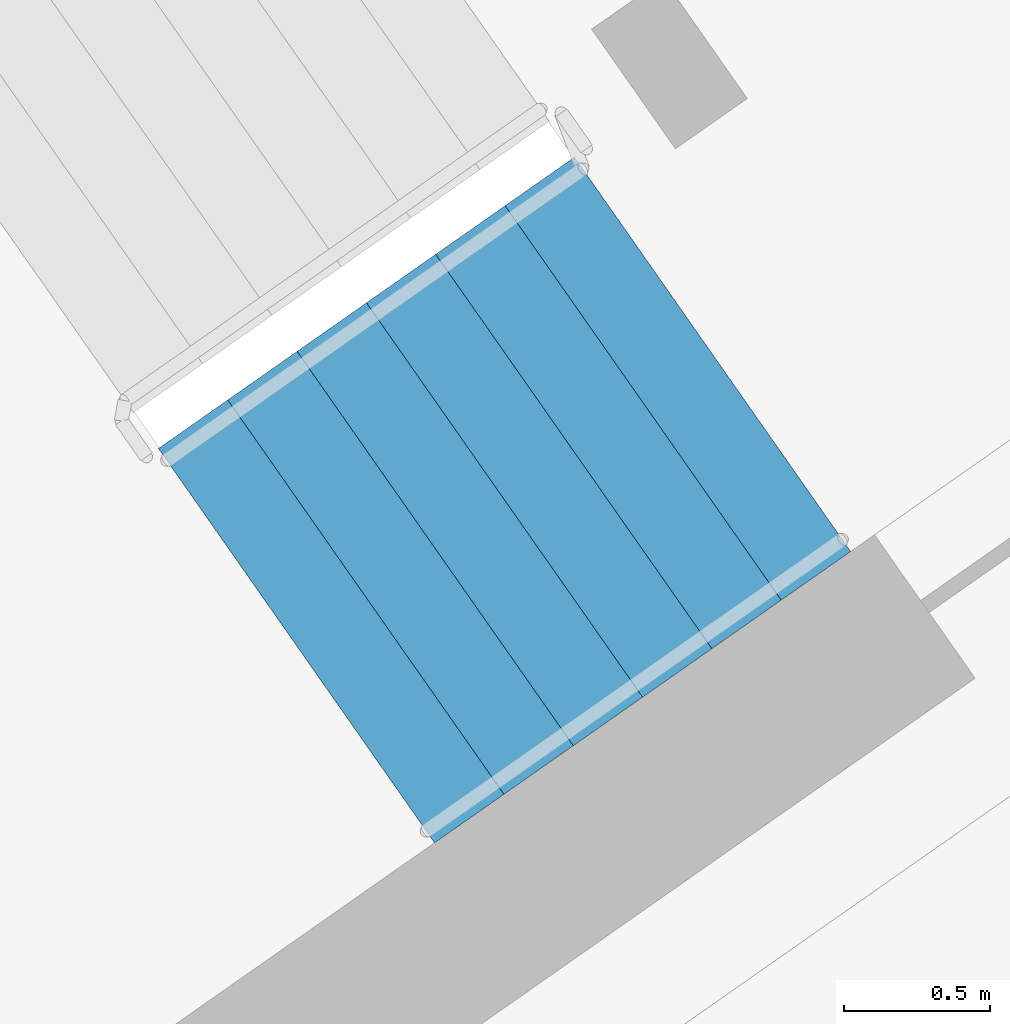
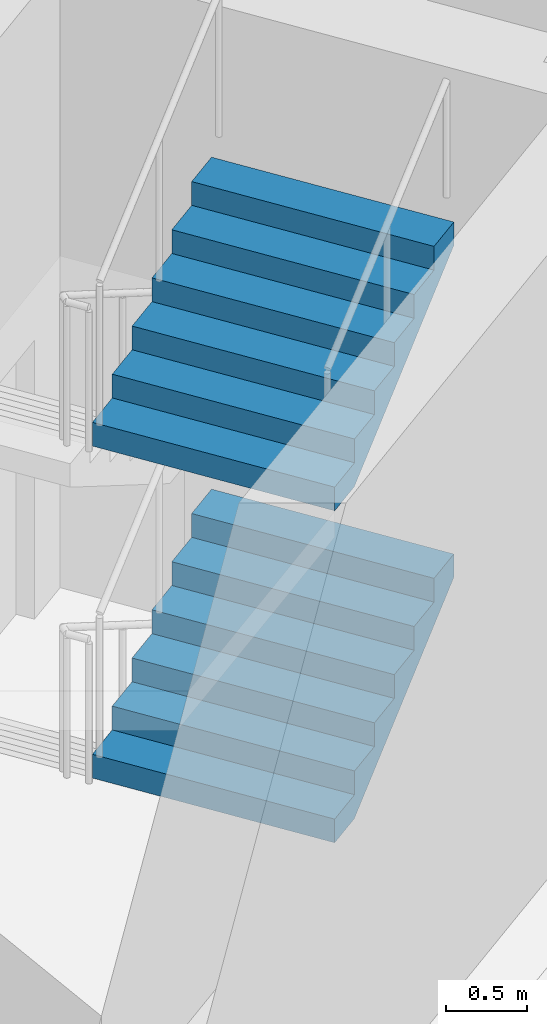
# One storey, part 17 of 24: 2 stair flights, 1 element without a shape of its own.
"""IFC4 building model written with IfcOpenShell, lengths in metres."""

from ifc_helpers import new_model, si_unit, direction, frame, origin, place, context, subcontext, project, spatial, faceted_brep, material, type_object, element, aggregate, save


model = new_model("IFC4")

# Units and contexts
model_context = context("Model", 3, precision=1e-05, world=origin(), true_north=direction((0.0, 1.0)))
body_context = subcontext(model_context, "Body", "Model", "MODEL_VIEW")
ifc_project = project(units=[si_unit("LENGTHUNIT", "METRE"), si_unit("AREAUNIT", "SQUARE_METRE"), si_unit("VOLUMEUNIT", "CUBIC_METRE"), si_unit("PLANEANGLEUNIT", "RADIAN"), si_unit("MASSUNIT", "GRAM", prefix="KILO")], contexts=[model_context])

# Site, building, storey
site_placement = place(None, origin())
site = spatial("IfcSite", under=ifc_project, at=site_placement, CompositionType="ELEMENT")
building_placement = place(site_placement, origin())
building = spatial("IfcBuilding", under=site, at=building_placement, Name="Qamariyya Broadcast Tower", CompositionType="ELEMENT")
storey_placement = place(building_placement, frame((0.0, 0.0, 198.699951171875)))
storey = spatial("IfcBuildingStorey", under=building, at=storey_placement, Name="L47", CompositionType="ELEMENT", Elevation=198.699951171875)

# Stair, stair flights
ifc_material = material(Name="Concrete C50/60", Category="concrete")
stair_type = type_object("IfcStairType", Name="Exit stair 28 risers of 179 mm", PredefinedType="HALF_TURN_STAIR", material=ifc_material)
stair_placement = place(storey_placement, origin())
stair = element("IfcStair", 1, at=stair_placement, inside=storey, type_object=stair_type, Name="L47 Stair E1", PredefinedType="HALF_TURN_STAIR")
stair_flight_type = type_object("IfcStairFlightType", Name="Exit stair flight 7 risers of 179 mm", PredefinedType="STRAIGHT", material=ifc_material)
stair_flight_1_placement = place(storey_placement, frame((45.6435546875, -57.980712890625, 1.25), z_axis=(0.0, 0.0, 1.0), x_axis=(0.819152044289, 0.573576436351, 0.0)))
stair_flight_1 = element("IfcStairFlight", 2, at=stair_flight_1_placement, type_object=stair_flight_type, Name="ST-E1 flight 2", NumberOfRisers=7, NumberOfTreads=6, PredefinedType="STRAIGHT", RiserHeight=0.178571429, TreadLength=0.29, context=body_context, shape_type="Brep", body=[
    faceted_brep([(0.0, 0.824951171875, 0.0), (0.0, 0.824951171875, 0.178466796875), (0.2900390625, 0.824951171875, 0.178466796875), (0.2900390625, 0.824951171875, 0.357177734375), (0.580078125, 0.824951171875, 0.357177734375), (0.580078125, 0.824951171875, 0.53564453125), (0.8701171875, 0.824951171875, 0.53564453125), (0.8701171875, 0.824951171875, 0.71435546875), (1.159912109375, 0.824951171875, 0.71435546875), (1.159912109375, 0.824951171875, 0.892822265625), (1.449951171875, 0.824951171875, 0.892822265625), (1.449951171875, 0.824951171875, 1.071533203125), (1.739990234375, 0.824951171875, 1.071533203125), (1.739990234375, 0.824951171875, 0.8955078125), (0.285888671875, 0.824951171875, 0.0), (0.285888671875, -0.824951171875, 0.0), (1.739990234375, -0.824951171875, 0.8955078125), (1.739990234375, -0.824951171875, 1.071533203125), (1.449951171875, -0.824951171875, 1.071533203125), (1.449951171875, -0.824951171875, 0.892822265625), (1.159912109375, -0.824951171875, 0.892822265625), (1.159912109375, -0.824951171875, 0.71435546875), (0.8701171875, -0.824951171875, 0.71435546875), (0.8701171875, -0.824951171875, 0.53564453125), (0.580078125, -0.824951171875, 0.53564453125), (0.580078125, -0.824951171875, 0.357177734375), (0.2900390625, -0.824951171875, 0.357177734375), (0.2900390625, -0.824951171875, 0.178466796875), (0.0, -0.824951171875, 0.178466796875), (0.0, -0.824951171875, 0.0), (0.0, 0.10009765625, 0.0), (0.0, 0.086669921875, 0.0), (0.0, 0.0732421875, 0.0), (0.0, 0.06005859375, 0.0), (0.0, 0.046630859375, 0.0), (0.0, 0.033447265625, 0.0), (0.0, 0.02001953125, 0.0), (0.0, 0.006591796875, 0.0), (0.0, -0.006591796875, 0.0), (0.0, -0.02001953125, 0.0), (0.0, -0.033447265625, 0.0), (0.0, -0.046630859375, 0.0), (0.0, -0.06005859375, 0.0), (0.0, -0.0732421875, 0.0), (0.0, -0.086669921875, 0.0), (0.0, -0.10009765625, 0.0), (0.0, -0.10009765625, 0.178466796875), (0.0, -0.086669921875, 0.178466796875), (0.0, -0.0732421875, 0.178466796875), (0.0, -0.06005859375, 0.178466796875), (0.0, -0.046630859375, 0.178466796875), (0.0, -0.033447265625, 0.178466796875), (0.0, -0.02001953125, 0.178466796875), (0.0, -0.006591796875, 0.178466796875), (0.0, 0.006591796875, 0.178466796875), (0.0, 0.02001953125, 0.178466796875), (0.0, 0.033447265625, 0.178466796875), (0.0, 0.046630859375, 0.178466796875), (0.0, 0.06005859375, 0.178466796875), (0.0, 0.0732421875, 0.178466796875), (0.0, 0.086669921875, 0.178466796875), (0.0, 0.10009765625, 0.178466796875), (0.2900390625, -0.10009765625, 0.178466796875), (0.2900390625, -0.086669921875, 0.178466796875), (0.2900390625, -0.0732421875, 0.178466796875), (0.2900390625, -0.06005859375, 0.178466796875), (0.2900390625, -0.046630859375, 0.178466796875), (0.2900390625, -0.033447265625, 0.178466796875), (0.2900390625, -0.02001953125, 0.178466796875), (0.2900390625, -0.006591796875, 0.178466796875), (0.2900390625, 0.006591796875, 0.178466796875), (0.2900390625, 0.02001953125, 0.178466796875), (0.2900390625, 0.033447265625, 0.178466796875), (0.2900390625, 0.046630859375, 0.178466796875), (0.2900390625, 0.06005859375, 0.178466796875), (0.2900390625, 0.0732421875, 0.178466796875), (0.2900390625, 0.086669921875, 0.178466796875), (0.2900390625, 0.10009765625, 0.178466796875), (0.2900390625, -0.10009765625, 0.357177734375), (0.2900390625, -0.086669921875, 0.357177734375), (0.2900390625, -0.0732421875, 0.357177734375), (0.2900390625, -0.06005859375, 0.357177734375), (0.2900390625, -0.046630859375, 0.357177734375), (0.2900390625, -0.033447265625, 0.357177734375), (0.2900390625, -0.02001953125, 0.357177734375), (0.2900390625, -0.006591796875, 0.357177734375), (0.2900390625, 0.006591796875, 0.357177734375), (0.2900390625, 0.02001953125, 0.357177734375), (0.2900390625, 0.033447265625, 0.357177734375), (0.2900390625, 0.046630859375, 0.357177734375), (0.2900390625, 0.06005859375, 0.357177734375), (0.2900390625, 0.0732421875, 0.357177734375), (0.2900390625, 0.086669921875, 0.357177734375), (0.2900390625, 0.10009765625, 0.357177734375), (0.580078125, -0.10009765625, 0.357177734375), (0.580078125, -0.086669921875, 0.357177734375), (0.580078125, -0.0732421875, 0.357177734375), (0.580078125, -0.06005859375, 0.357177734375), (0.580078125, -0.046630859375, 0.357177734375), (0.580078125, -0.033447265625, 0.357177734375), (0.580078125, -0.02001953125, 0.357177734375), (0.580078125, -0.006591796875, 0.357177734375), (0.580078125, 0.006591796875, 0.357177734375), (0.580078125, 0.02001953125, 0.357177734375), (0.580078125, 0.033447265625, 0.357177734375), (0.580078125, 0.046630859375, 0.357177734375), (0.580078125, 0.06005859375, 0.357177734375), (0.580078125, 0.0732421875, 0.357177734375), (0.580078125, 0.086669921875, 0.357177734375), (0.580078125, 0.10009765625, 0.357177734375), (0.580078125, -0.10009765625, 0.53564453125), (0.580078125, -0.086669921875, 0.53564453125), (0.580078125, -0.0732421875, 0.53564453125), (0.580078125, -0.06005859375, 0.53564453125), (0.580078125, -0.046630859375, 0.53564453125), (0.580078125, -0.033447265625, 0.53564453125), (0.580078125, -0.02001953125, 0.53564453125), (0.580078125, -0.006591796875, 0.53564453125), (0.580078125, 0.006591796875, 0.53564453125), (0.580078125, 0.02001953125, 0.53564453125), (0.580078125, 0.033447265625, 0.53564453125), (0.580078125, 0.046630859375, 0.53564453125), (0.580078125, 0.06005859375, 0.53564453125), (0.580078125, 0.0732421875, 0.53564453125), (0.580078125, 0.086669921875, 0.53564453125), (0.580078125, 0.10009765625, 0.53564453125), (0.8701171875, -0.10009765625, 0.53564453125), (0.8701171875, -0.086669921875, 0.53564453125), (0.8701171875, -0.0732421875, 0.53564453125), (0.8701171875, -0.06005859375, 0.53564453125), (0.8701171875, -0.046630859375, 0.53564453125), (0.8701171875, -0.033447265625, 0.53564453125), (0.8701171875, -0.02001953125, 0.53564453125), (0.8701171875, -0.006591796875, 0.53564453125), (0.8701171875, 0.006591796875, 0.53564453125), (0.8701171875, 0.02001953125, 0.53564453125), (0.8701171875, 0.033447265625, 0.53564453125), (0.8701171875, 0.046630859375, 0.53564453125), (0.8701171875, 0.06005859375, 0.53564453125), (0.8701171875, 0.0732421875, 0.53564453125), (0.8701171875, 0.086669921875, 0.53564453125), (0.8701171875, 0.10009765625, 0.53564453125), (0.8701171875, -0.10009765625, 0.71435546875), (0.8701171875, -0.086669921875, 0.71435546875), (0.8701171875, -0.0732421875, 0.71435546875), (0.8701171875, -0.06005859375, 0.71435546875), (0.8701171875, -0.046630859375, 0.71435546875), (0.8701171875, -0.033447265625, 0.71435546875), (0.8701171875, -0.02001953125, 0.71435546875), (0.8701171875, -0.006591796875, 0.71435546875), (0.8701171875, 0.006591796875, 0.71435546875), (0.8701171875, 0.02001953125, 0.71435546875), (0.8701171875, 0.033447265625, 0.71435546875), (0.8701171875, 0.046630859375, 0.71435546875), (0.8701171875, 0.06005859375, 0.71435546875), (0.8701171875, 0.0732421875, 0.71435546875), (0.8701171875, 0.086669921875, 0.71435546875), (0.8701171875, 0.10009765625, 0.71435546875), (1.159912109375, -0.10009765625, 0.71435546875), (1.159912109375, -0.086669921875, 0.71435546875), (1.159912109375, -0.0732421875, 0.71435546875), (1.159912109375, -0.06005859375, 0.71435546875), (1.159912109375, -0.046630859375, 0.71435546875), (1.159912109375, -0.033447265625, 0.71435546875), (1.159912109375, -0.02001953125, 0.71435546875), (1.159912109375, -0.006591796875, 0.71435546875), (1.159912109375, 0.006591796875, 0.71435546875), (1.159912109375, 0.02001953125, 0.71435546875), (1.159912109375, 0.033447265625, 0.71435546875), (1.159912109375, 0.046630859375, 0.71435546875), (1.159912109375, 0.06005859375, 0.71435546875), (1.159912109375, 0.0732421875, 0.71435546875), (1.159912109375, 0.086669921875, 0.71435546875), (1.159912109375, 0.10009765625, 0.71435546875), (1.159912109375, -0.10009765625, 0.892822265625), (1.159912109375, -0.086669921875, 0.892822265625), (1.159912109375, -0.0732421875, 0.892822265625), (1.159912109375, -0.06005859375, 0.892822265625), (1.159912109375, -0.046630859375, 0.892822265625), (1.159912109375, -0.033447265625, 0.892822265625), (1.159912109375, -0.02001953125, 0.892822265625), (1.159912109375, -0.006591796875, 0.892822265625), (1.159912109375, 0.006591796875, 0.892822265625), (1.159912109375, 0.02001953125, 0.892822265625), (1.159912109375, 0.033447265625, 0.892822265625), (1.159912109375, 0.046630859375, 0.892822265625), (1.159912109375, 0.06005859375, 0.892822265625), (1.159912109375, 0.0732421875, 0.892822265625), (1.159912109375, 0.086669921875, 0.892822265625), (1.159912109375, 0.10009765625, 0.892822265625), (1.449951171875, -0.10009765625, 0.892822265625), (1.449951171875, -0.086669921875, 0.892822265625), (1.449951171875, -0.0732421875, 0.892822265625), (1.449951171875, -0.06005859375, 0.892822265625), (1.449951171875, -0.046630859375, 0.892822265625), (1.449951171875, -0.033447265625, 0.892822265625), (1.449951171875, -0.02001953125, 0.892822265625), (1.449951171875, -0.006591796875, 0.892822265625), (1.449951171875, 0.006591796875, 0.892822265625), (1.449951171875, 0.02001953125, 0.892822265625), (1.449951171875, 0.033447265625, 0.892822265625), (1.449951171875, 0.046630859375, 0.892822265625), (1.449951171875, 0.06005859375, 0.892822265625), (1.449951171875, 0.0732421875, 0.892822265625), (1.449951171875, 0.086669921875, 0.892822265625), (1.449951171875, 0.10009765625, 0.892822265625), (1.449951171875, -0.10009765625, 1.071533203125), (1.449951171875, -0.086669921875, 1.071533203125), (1.449951171875, -0.0732421875, 1.071533203125), (1.449951171875, -0.06005859375, 1.071533203125), (1.449951171875, -0.046630859375, 1.071533203125), (1.449951171875, -0.033447265625, 1.071533203125), (1.449951171875, -0.02001953125, 1.071533203125), (1.449951171875, -0.006591796875, 1.071533203125), (1.449951171875, 0.006591796875, 1.071533203125), (1.449951171875, 0.02001953125, 1.071533203125), (1.449951171875, 0.033447265625, 1.071533203125), (1.449951171875, 0.046630859375, 1.071533203125), (1.449951171875, 0.06005859375, 1.071533203125), (1.449951171875, 0.0732421875, 1.071533203125), (1.449951171875, 0.086669921875, 1.071533203125), (1.449951171875, 0.10009765625, 1.071533203125), (1.739990234375, -0.10009765625, 1.071533203125), (1.739990234375, -0.086669921875, 1.071533203125), (1.739990234375, -0.0732421875, 1.071533203125), (1.739990234375, -0.06005859375, 1.071533203125), (1.739990234375, -0.046630859375, 1.071533203125), (1.739990234375, -0.033447265625, 1.071533203125), (1.739990234375, -0.02001953125, 1.071533203125), (1.739990234375, -0.006591796875, 1.071533203125), (1.739990234375, 0.006591796875, 1.071533203125), (1.739990234375, 0.02001953125, 1.071533203125), (1.739990234375, 0.033447265625, 1.071533203125), (1.739990234375, 0.046630859375, 1.071533203125), (1.739990234375, 0.06005859375, 1.071533203125), (1.739990234375, 0.0732421875, 1.071533203125), (1.739990234375, 0.086669921875, 1.071533203125), (1.739990234375, 0.10009765625, 1.071533203125), (1.739990234375, -0.10009765625, 0.8955078125), (1.739990234375, -0.086669921875, 0.8955078125), (1.739990234375, -0.0732421875, 0.8955078125), (1.739990234375, -0.06005859375, 0.8955078125), (1.739990234375, -0.046630859375, 0.8955078125), (1.739990234375, -0.033447265625, 0.8955078125), (1.739990234375, -0.02001953125, 0.8955078125), (1.739990234375, -0.006591796875, 0.8955078125), (1.739990234375, 0.006591796875, 0.8955078125), (1.739990234375, 0.02001953125, 0.8955078125), (1.739990234375, 0.033447265625, 0.8955078125), (1.739990234375, 0.046630859375, 0.8955078125), (1.739990234375, 0.06005859375, 0.8955078125), (1.739990234375, 0.0732421875, 0.8955078125), (1.739990234375, 0.086669921875, 0.8955078125), (1.739990234375, 0.10009765625, 0.8955078125), (0.285888671875, -0.10009765625, 0.0), (0.285888671875, -0.086669921875, 0.0), (0.285888671875, -0.0732421875, 0.0), (0.285888671875, -0.06005859375, 0.0), (0.285888671875, -0.046630859375, 0.0), (0.285888671875, -0.033447265625, 0.0), (0.285888671875, -0.02001953125, 0.0), (0.285888671875, -0.006591796875, 0.0), (0.285888671875, 0.006591796875, 0.0), (0.285888671875, 0.02001953125, 0.0), (0.285888671875, 0.033447265625, 0.0), (0.285888671875, 0.046630859375, 0.0), (0.285888671875, 0.06005859375, 0.0), (0.285888671875, 0.0732421875, 0.0), (0.285888671875, 0.086669921875, 0.0), (0.285888671875, 0.10009765625, 0.0)], [[[0, 1, 2, 3, 4, 5, 6, 7, 8, 9, 10, 11, 12, 13, 14]], [[15, 16, 17, 18, 19, 20, 21, 22, 23, 24, 25, 26, 27, 28, 29]], [[0, 30, 31, 32, 33, 34, 35, 36, 37, 38, 39, 40, 41, 42, 43, 44, 45, 29, 28, 46, 47, 48, 49, 50, 51, 52, 53, 54, 55, 56, 57, 58, 59, 60, 61, 1]], [[1, 61, 60, 59, 58, 57, 56, 55, 54, 53, 52, 51, 50, 49, 48, 47, 46, 28, 27, 62, 63, 64, 65, 66, 67, 68, 69, 70, 71, 72, 73, 74, 75, 76, 77, 2]], [[2, 77, 76, 75, 74, 73, 72, 71, 70, 69, 68, 67, 66, 65, 64, 63, 62, 27, 26, 78, 79, 80, 81, 82, 83, 84, 85, 86, 87, 88, 89, 90, 91, 92, 93, 3]], [[3, 93, 92, 91, 90, 89, 88, 87, 86, 85, 84, 83, 82, 81, 80, 79, 78, 26, 25, 94, 95, 96, 97, 98, 99, 100, 101, 102, 103, 104, 105, 106, 107, 108, 109, 4]], [[4, 109, 108, 107, 106, 105, 104, 103, 102, 101, 100, 99, 98, 97, 96, 95, 94, 25, 24, 110, 111, 112, 113, 114, 115, 116, 117, 118, 119, 120, 121, 122, 123, 124, 125, 5]], [[5, 125, 124, 123, 122, 121, 120, 119, 118, 117, 116, 115, 114, 113, 112, 111, 110, 24, 23, 126, 127, 128, 129, 130, 131, 132, 133, 134, 135, 136, 137, 138, 139, 140, 141, 6]], [[6, 141, 140, 139, 138, 137, 136, 135, 134, 133, 132, 131, 130, 129, 128, 127, 126, 23, 22, 142, 143, 144, 145, 146, 147, 148, 149, 150, 151, 152, 153, 154, 155, 156, 157, 7]], [[7, 157, 156, 155, 154, 153, 152, 151, 150, 149, 148, 147, 146, 145, 144, 143, 142, 22, 21, 158, 159, 160, 161, 162, 163, 164, 165, 166, 167, 168, 169, 170, 171, 172, 173, 8]], [[8, 173, 172, 171, 170, 169, 168, 167, 166, 165, 164, 163, 162, 161, 160, 159, 158, 21, 20, 174, 175, 176, 177, 178, 179, 180, 181, 182, 183, 184, 185, 186, 187, 188, 189, 9]], [[9, 189, 188, 187, 186, 185, 184, 183, 182, 181, 180, 179, 178, 177, 176, 175, 174, 20, 19, 190, 191, 192, 193, 194, 195, 196, 197, 198, 199, 200, 201, 202, 203, 204, 205, 10]], [[10, 205, 204, 203, 202, 201, 200, 199, 198, 197, 196, 195, 194, 193, 192, 191, 190, 19, 18, 206, 207, 208, 209, 210, 211, 212, 213, 214, 215, 216, 217, 218, 219, 220, 221, 11]], [[11, 221, 220, 219, 218, 217, 216, 215, 214, 213, 212, 211, 210, 209, 208, 207, 206, 18, 17, 222, 223, 224, 225, 226, 227, 228, 229, 230, 231, 232, 233, 234, 235, 236, 237, 12]], [[12, 237, 236, 235, 234, 233, 232, 231, 230, 229, 228, 227, 226, 225, 224, 223, 222, 17, 16, 238, 239, 240, 241, 242, 243, 244, 245, 246, 247, 248, 249, 250, 251, 252, 253, 13]], [[13, 253, 252, 251, 250, 249, 248, 247, 246, 245, 244, 243, 242, 241, 240, 239, 238, 16, 15, 254, 255, 256, 257, 258, 259, 260, 261, 262, 263, 264, 265, 266, 267, 268, 269, 14]], [[14, 269, 268, 267, 266, 265, 264, 263, 262, 261, 260, 259, 258, 257, 256, 255, 254, 15, 29, 45, 44, 43, 42, 41, 40, 39, 38, 37, 36, 35, 34, 33, 32, 31, 30, 0]]]),
])
stair_flight_2_placement = place(storey_placement, frame((45.6435546875, -57.980712890625, 3.75), z_axis=(0.0, 0.0, 1.0), x_axis=(0.819152044289, 0.573576436351, 0.0)))
stair_flight_2 = element("IfcStairFlight", 3, at=stair_flight_2_placement, type_object=stair_flight_type, Name="ST-E1 flight 4", NumberOfRisers=7, NumberOfTreads=6, PredefinedType="STRAIGHT", RiserHeight=0.178571429, TreadLength=0.29, context=body_context, shape_type="Brep", body=[
    faceted_brep([(0.0, 0.824951171875, 0.0), (0.0, 0.824951171875, 0.178466796875), (0.2900390625, 0.824951171875, 0.178466796875), (0.2900390625, 0.824951171875, 0.357177734375), (0.580078125, 0.824951171875, 0.357177734375), (0.580078125, 0.824951171875, 0.53564453125), (0.8701171875, 0.824951171875, 0.53564453125), (0.8701171875, 0.824951171875, 0.71435546875), (1.159912109375, 0.824951171875, 0.71435546875), (1.159912109375, 0.824951171875, 0.892822265625), (1.449951171875, 0.824951171875, 0.892822265625), (1.449951171875, 0.824951171875, 1.071533203125), (1.739990234375, 0.824951171875, 1.071533203125), (1.739990234375, 0.824951171875, 0.8955078125), (0.285888671875, 0.824951171875, 0.0), (0.285888671875, -0.824951171875, 0.0), (1.739990234375, -0.824951171875, 0.8955078125), (1.739990234375, -0.824951171875, 1.071533203125), (1.449951171875, -0.824951171875, 1.071533203125), (1.449951171875, -0.824951171875, 0.892822265625), (1.159912109375, -0.824951171875, 0.892822265625), (1.159912109375, -0.824951171875, 0.71435546875), (0.8701171875, -0.824951171875, 0.71435546875), (0.8701171875, -0.824951171875, 0.53564453125), (0.580078125, -0.824951171875, 0.53564453125), (0.580078125, -0.824951171875, 0.357177734375), (0.2900390625, -0.824951171875, 0.357177734375), (0.2900390625, -0.824951171875, 0.178466796875), (0.0, -0.824951171875, 0.178466796875), (0.0, -0.824951171875, 0.0), (0.0, 0.10009765625, 0.0), (0.0, 0.086669921875, 0.0), (0.0, 0.0732421875, 0.0), (0.0, 0.06005859375, 0.0), (0.0, 0.046630859375, 0.0), (0.0, 0.033447265625, 0.0), (0.0, 0.02001953125, 0.0), (0.0, 0.006591796875, 0.0), (0.0, -0.006591796875, 0.0), (0.0, -0.02001953125, 0.0), (0.0, -0.033447265625, 0.0), (0.0, -0.046630859375, 0.0), (0.0, -0.06005859375, 0.0), (0.0, -0.0732421875, 0.0), (0.0, -0.086669921875, 0.0), (0.0, -0.10009765625, 0.0), (0.0, -0.10009765625, 0.178466796875), (0.0, -0.086669921875, 0.178466796875), (0.0, -0.0732421875, 0.178466796875), (0.0, -0.06005859375, 0.178466796875), (0.0, -0.046630859375, 0.178466796875), (0.0, -0.033447265625, 0.178466796875), (0.0, -0.02001953125, 0.178466796875), (0.0, -0.006591796875, 0.178466796875), (0.0, 0.006591796875, 0.178466796875), (0.0, 0.02001953125, 0.178466796875), (0.0, 0.033447265625, 0.178466796875), (0.0, 0.046630859375, 0.178466796875), (0.0, 0.06005859375, 0.178466796875), (0.0, 0.0732421875, 0.178466796875), (0.0, 0.086669921875, 0.178466796875), (0.0, 0.10009765625, 0.178466796875), (0.2900390625, -0.10009765625, 0.178466796875), (0.2900390625, -0.086669921875, 0.178466796875), (0.2900390625, -0.0732421875, 0.178466796875), (0.2900390625, -0.06005859375, 0.178466796875), (0.2900390625, -0.046630859375, 0.178466796875), (0.2900390625, -0.033447265625, 0.178466796875), (0.2900390625, -0.02001953125, 0.178466796875), (0.2900390625, -0.006591796875, 0.178466796875), (0.2900390625, 0.006591796875, 0.178466796875), (0.2900390625, 0.02001953125, 0.178466796875), (0.2900390625, 0.033447265625, 0.178466796875), (0.2900390625, 0.046630859375, 0.178466796875), (0.2900390625, 0.06005859375, 0.178466796875), (0.2900390625, 0.0732421875, 0.178466796875), (0.2900390625, 0.086669921875, 0.178466796875), (0.2900390625, 0.10009765625, 0.178466796875), (0.2900390625, -0.10009765625, 0.357177734375), (0.2900390625, -0.086669921875, 0.357177734375), (0.2900390625, -0.0732421875, 0.357177734375), (0.2900390625, -0.06005859375, 0.357177734375), (0.2900390625, -0.046630859375, 0.357177734375), (0.2900390625, -0.033447265625, 0.357177734375), (0.2900390625, -0.02001953125, 0.357177734375), (0.2900390625, -0.006591796875, 0.357177734375), (0.2900390625, 0.006591796875, 0.357177734375), (0.2900390625, 0.02001953125, 0.357177734375), (0.2900390625, 0.033447265625, 0.357177734375), (0.2900390625, 0.046630859375, 0.357177734375), (0.2900390625, 0.06005859375, 0.357177734375), (0.2900390625, 0.0732421875, 0.357177734375), (0.2900390625, 0.086669921875, 0.357177734375), (0.2900390625, 0.10009765625, 0.357177734375), (0.580078125, -0.10009765625, 0.357177734375), (0.580078125, -0.086669921875, 0.357177734375), (0.580078125, -0.0732421875, 0.357177734375), (0.580078125, -0.06005859375, 0.357177734375), (0.580078125, -0.046630859375, 0.357177734375), (0.580078125, -0.033447265625, 0.357177734375), (0.580078125, -0.02001953125, 0.357177734375), (0.580078125, -0.006591796875, 0.357177734375), (0.580078125, 0.006591796875, 0.357177734375), (0.580078125, 0.02001953125, 0.357177734375), (0.580078125, 0.033447265625, 0.357177734375), (0.580078125, 0.046630859375, 0.357177734375), (0.580078125, 0.06005859375, 0.357177734375), (0.580078125, 0.0732421875, 0.357177734375), (0.580078125, 0.086669921875, 0.357177734375), (0.580078125, 0.10009765625, 0.357177734375), (0.580078125, -0.10009765625, 0.53564453125), (0.580078125, -0.086669921875, 0.53564453125), (0.580078125, -0.0732421875, 0.53564453125), (0.580078125, -0.06005859375, 0.53564453125), (0.580078125, -0.046630859375, 0.53564453125), (0.580078125, -0.033447265625, 0.53564453125), (0.580078125, -0.02001953125, 0.53564453125), (0.580078125, -0.006591796875, 0.53564453125), (0.580078125, 0.006591796875, 0.53564453125), (0.580078125, 0.02001953125, 0.53564453125), (0.580078125, 0.033447265625, 0.53564453125), (0.580078125, 0.046630859375, 0.53564453125), (0.580078125, 0.06005859375, 0.53564453125), (0.580078125, 0.0732421875, 0.53564453125), (0.580078125, 0.086669921875, 0.53564453125), (0.580078125, 0.10009765625, 0.53564453125), (0.8701171875, -0.10009765625, 0.53564453125), (0.8701171875, -0.086669921875, 0.53564453125), (0.8701171875, -0.0732421875, 0.53564453125), (0.8701171875, -0.06005859375, 0.53564453125), (0.8701171875, -0.046630859375, 0.53564453125), (0.8701171875, -0.033447265625, 0.53564453125), (0.8701171875, -0.02001953125, 0.53564453125), (0.8701171875, -0.006591796875, 0.53564453125), (0.8701171875, 0.006591796875, 0.53564453125), (0.8701171875, 0.02001953125, 0.53564453125), (0.8701171875, 0.033447265625, 0.53564453125), (0.8701171875, 0.046630859375, 0.53564453125), (0.8701171875, 0.06005859375, 0.53564453125), (0.8701171875, 0.0732421875, 0.53564453125), (0.8701171875, 0.086669921875, 0.53564453125), (0.8701171875, 0.10009765625, 0.53564453125), (0.8701171875, -0.10009765625, 0.71435546875), (0.8701171875, -0.086669921875, 0.71435546875), (0.8701171875, -0.0732421875, 0.71435546875), (0.8701171875, -0.06005859375, 0.71435546875), (0.8701171875, -0.046630859375, 0.71435546875), (0.8701171875, -0.033447265625, 0.71435546875), (0.8701171875, -0.02001953125, 0.71435546875), (0.8701171875, -0.006591796875, 0.71435546875), (0.8701171875, 0.006591796875, 0.71435546875), (0.8701171875, 0.02001953125, 0.71435546875), (0.8701171875, 0.033447265625, 0.71435546875), (0.8701171875, 0.046630859375, 0.71435546875), (0.8701171875, 0.06005859375, 0.71435546875), (0.8701171875, 0.0732421875, 0.71435546875), (0.8701171875, 0.086669921875, 0.71435546875), (0.8701171875, 0.10009765625, 0.71435546875), (1.159912109375, -0.10009765625, 0.71435546875), (1.159912109375, -0.086669921875, 0.71435546875), (1.159912109375, -0.0732421875, 0.71435546875), (1.159912109375, -0.06005859375, 0.71435546875), (1.159912109375, -0.046630859375, 0.71435546875), (1.159912109375, -0.033447265625, 0.71435546875), (1.159912109375, -0.02001953125, 0.71435546875), (1.159912109375, -0.006591796875, 0.71435546875), (1.159912109375, 0.006591796875, 0.71435546875), (1.159912109375, 0.02001953125, 0.71435546875), (1.159912109375, 0.033447265625, 0.71435546875), (1.159912109375, 0.046630859375, 0.71435546875), (1.159912109375, 0.06005859375, 0.71435546875), (1.159912109375, 0.0732421875, 0.71435546875), (1.159912109375, 0.086669921875, 0.71435546875), (1.159912109375, 0.10009765625, 0.71435546875), (1.159912109375, -0.10009765625, 0.892822265625), (1.159912109375, -0.086669921875, 0.892822265625), (1.159912109375, -0.0732421875, 0.892822265625), (1.159912109375, -0.06005859375, 0.892822265625), (1.159912109375, -0.046630859375, 0.892822265625), (1.159912109375, -0.033447265625, 0.892822265625), (1.159912109375, -0.02001953125, 0.892822265625), (1.159912109375, -0.006591796875, 0.892822265625), (1.159912109375, 0.006591796875, 0.892822265625), (1.159912109375, 0.02001953125, 0.892822265625), (1.159912109375, 0.033447265625, 0.892822265625), (1.159912109375, 0.046630859375, 0.892822265625), (1.159912109375, 0.06005859375, 0.892822265625), (1.159912109375, 0.0732421875, 0.892822265625), (1.159912109375, 0.086669921875, 0.892822265625), (1.159912109375, 0.10009765625, 0.892822265625), (1.449951171875, -0.10009765625, 0.892822265625), (1.449951171875, -0.086669921875, 0.892822265625), (1.449951171875, -0.0732421875, 0.892822265625), (1.449951171875, -0.06005859375, 0.892822265625), (1.449951171875, -0.046630859375, 0.892822265625), (1.449951171875, -0.033447265625, 0.892822265625), (1.449951171875, -0.02001953125, 0.892822265625), (1.449951171875, -0.006591796875, 0.892822265625), (1.449951171875, 0.006591796875, 0.892822265625), (1.449951171875, 0.02001953125, 0.892822265625), (1.449951171875, 0.033447265625, 0.892822265625), (1.449951171875, 0.046630859375, 0.892822265625), (1.449951171875, 0.06005859375, 0.892822265625), (1.449951171875, 0.0732421875, 0.892822265625), (1.449951171875, 0.086669921875, 0.892822265625), (1.449951171875, 0.10009765625, 0.892822265625), (1.449951171875, -0.10009765625, 1.071533203125), (1.449951171875, -0.086669921875, 1.071533203125), (1.449951171875, -0.0732421875, 1.071533203125), (1.449951171875, -0.06005859375, 1.071533203125), (1.449951171875, -0.046630859375, 1.071533203125), (1.449951171875, -0.033447265625, 1.071533203125), (1.449951171875, -0.02001953125, 1.071533203125), (1.449951171875, -0.006591796875, 1.071533203125), (1.449951171875, 0.006591796875, 1.071533203125), (1.449951171875, 0.02001953125, 1.071533203125), (1.449951171875, 0.033447265625, 1.071533203125), (1.449951171875, 0.046630859375, 1.071533203125), (1.449951171875, 0.06005859375, 1.071533203125), (1.449951171875, 0.0732421875, 1.071533203125), (1.449951171875, 0.086669921875, 1.071533203125), (1.449951171875, 0.10009765625, 1.071533203125), (1.739990234375, -0.10009765625, 1.071533203125), (1.739990234375, -0.086669921875, 1.071533203125), (1.739990234375, -0.0732421875, 1.071533203125), (1.739990234375, -0.06005859375, 1.071533203125), (1.739990234375, -0.046630859375, 1.071533203125), (1.739990234375, -0.033447265625, 1.071533203125), (1.739990234375, -0.02001953125, 1.071533203125), (1.739990234375, -0.006591796875, 1.071533203125), (1.739990234375, 0.006591796875, 1.071533203125), (1.739990234375, 0.02001953125, 1.071533203125), (1.739990234375, 0.033447265625, 1.071533203125), (1.739990234375, 0.046630859375, 1.071533203125), (1.739990234375, 0.06005859375, 1.071533203125), (1.739990234375, 0.0732421875, 1.071533203125), (1.739990234375, 0.086669921875, 1.071533203125), (1.739990234375, 0.10009765625, 1.071533203125), (1.739990234375, -0.10009765625, 0.8955078125), (1.739990234375, -0.086669921875, 0.8955078125), (1.739990234375, -0.0732421875, 0.8955078125), (1.739990234375, -0.06005859375, 0.8955078125), (1.739990234375, -0.046630859375, 0.8955078125), (1.739990234375, -0.033447265625, 0.8955078125), (1.739990234375, -0.02001953125, 0.8955078125), (1.739990234375, -0.006591796875, 0.8955078125), (1.739990234375, 0.006591796875, 0.8955078125), (1.739990234375, 0.02001953125, 0.8955078125), (1.739990234375, 0.033447265625, 0.8955078125), (1.739990234375, 0.046630859375, 0.8955078125), (1.739990234375, 0.06005859375, 0.8955078125), (1.739990234375, 0.0732421875, 0.8955078125), (1.739990234375, 0.086669921875, 0.8955078125), (1.739990234375, 0.10009765625, 0.8955078125), (0.285888671875, -0.10009765625, 0.0), (0.285888671875, -0.086669921875, 0.0), (0.285888671875, -0.0732421875, 0.0), (0.285888671875, -0.06005859375, 0.0), (0.285888671875, -0.046630859375, 0.0), (0.285888671875, -0.033447265625, 0.0), (0.285888671875, -0.02001953125, 0.0), (0.285888671875, -0.006591796875, 0.0), (0.285888671875, 0.006591796875, 0.0), (0.285888671875, 0.02001953125, 0.0), (0.285888671875, 0.033447265625, 0.0), (0.285888671875, 0.046630859375, 0.0), (0.285888671875, 0.06005859375, 0.0), (0.285888671875, 0.0732421875, 0.0), (0.285888671875, 0.086669921875, 0.0), (0.285888671875, 0.10009765625, 0.0)], [[[0, 1, 2, 3, 4, 5, 6, 7, 8, 9, 10, 11, 12, 13, 14]], [[15, 16, 17, 18, 19, 20, 21, 22, 23, 24, 25, 26, 27, 28, 29]], [[0, 30, 31, 32, 33, 34, 35, 36, 37, 38, 39, 40, 41, 42, 43, 44, 45, 29, 28, 46, 47, 48, 49, 50, 51, 52, 53, 54, 55, 56, 57, 58, 59, 60, 61, 1]], [[1, 61, 60, 59, 58, 57, 56, 55, 54, 53, 52, 51, 50, 49, 48, 47, 46, 28, 27, 62, 63, 64, 65, 66, 67, 68, 69, 70, 71, 72, 73, 74, 75, 76, 77, 2]], [[2, 77, 76, 75, 74, 73, 72, 71, 70, 69, 68, 67, 66, 65, 64, 63, 62, 27, 26, 78, 79, 80, 81, 82, 83, 84, 85, 86, 87, 88, 89, 90, 91, 92, 93, 3]], [[3, 93, 92, 91, 90, 89, 88, 87, 86, 85, 84, 83, 82, 81, 80, 79, 78, 26, 25, 94, 95, 96, 97, 98, 99, 100, 101, 102, 103, 104, 105, 106, 107, 108, 109, 4]], [[4, 109, 108, 107, 106, 105, 104, 103, 102, 101, 100, 99, 98, 97, 96, 95, 94, 25, 24, 110, 111, 112, 113, 114, 115, 116, 117, 118, 119, 120, 121, 122, 123, 124, 125, 5]], [[5, 125, 124, 123, 122, 121, 120, 119, 118, 117, 116, 115, 114, 113, 112, 111, 110, 24, 23, 126, 127, 128, 129, 130, 131, 132, 133, 134, 135, 136, 137, 138, 139, 140, 141, 6]], [[6, 141, 140, 139, 138, 137, 136, 135, 134, 133, 132, 131, 130, 129, 128, 127, 126, 23, 22, 142, 143, 144, 145, 146, 147, 148, 149, 150, 151, 152, 153, 154, 155, 156, 157, 7]], [[7, 157, 156, 155, 154, 153, 152, 151, 150, 149, 148, 147, 146, 145, 144, 143, 142, 22, 21, 158, 159, 160, 161, 162, 163, 164, 165, 166, 167, 168, 169, 170, 171, 172, 173, 8]], [[8, 173, 172, 171, 170, 169, 168, 167, 166, 165, 164, 163, 162, 161, 160, 159, 158, 21, 20, 174, 175, 176, 177, 178, 179, 180, 181, 182, 183, 184, 185, 186, 187, 188, 189, 9]], [[9, 189, 188, 187, 186, 185, 184, 183, 182, 181, 180, 179, 178, 177, 176, 175, 174, 20, 19, 190, 191, 192, 193, 194, 195, 196, 197, 198, 199, 200, 201, 202, 203, 204, 205, 10]], [[10, 205, 204, 203, 202, 201, 200, 199, 198, 197, 196, 195, 194, 193, 192, 191, 190, 19, 18, 206, 207, 208, 209, 210, 211, 212, 213, 214, 215, 216, 217, 218, 219, 220, 221, 11]], [[11, 221, 220, 219, 218, 217, 216, 215, 214, 213, 212, 211, 210, 209, 208, 207, 206, 18, 17, 222, 223, 224, 225, 226, 227, 228, 229, 230, 231, 232, 233, 234, 235, 236, 237, 12]], [[12, 237, 236, 235, 234, 233, 232, 231, 230, 229, 228, 227, 226, 225, 224, 223, 222, 17, 16, 238, 239, 240, 241, 242, 243, 244, 245, 246, 247, 248, 249, 250, 251, 252, 253, 13]], [[13, 253, 252, 251, 250, 249, 248, 247, 246, 245, 244, 243, 242, 241, 240, 239, 238, 16, 15, 254, 255, 256, 257, 258, 259, 260, 261, 262, 263, 264, 265, 266, 267, 268, 269, 14]], [[14, 269, 268, 267, 266, 265, 264, 263, 262, 261, 260, 259, 258, 257, 256, 255, 254, 15, 29, 45, 44, 43, 42, 41, 40, 39, 38, 37, 36, 35, 34, 33, 32, 31, 30, 0]]]),
])
aggregate(stair, [stair_flight_1, stair_flight_2])

save(model, "model.ifc")
